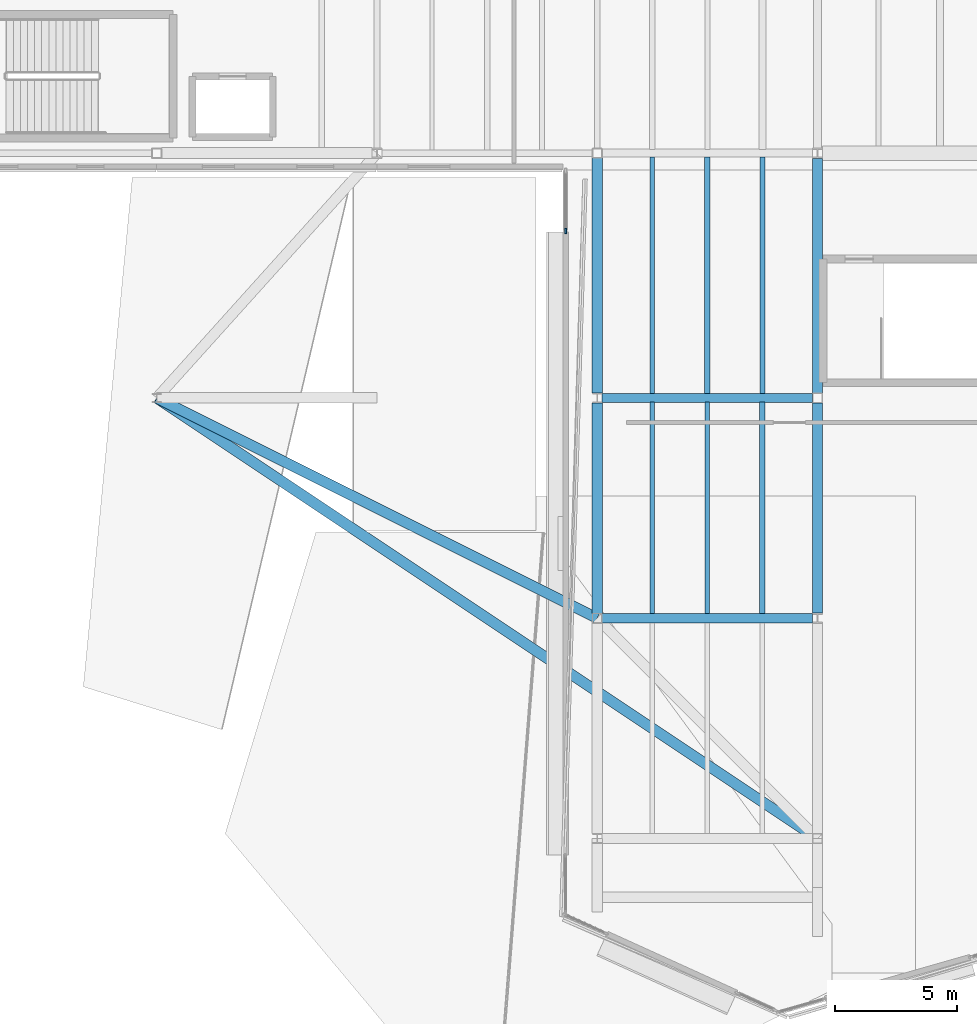
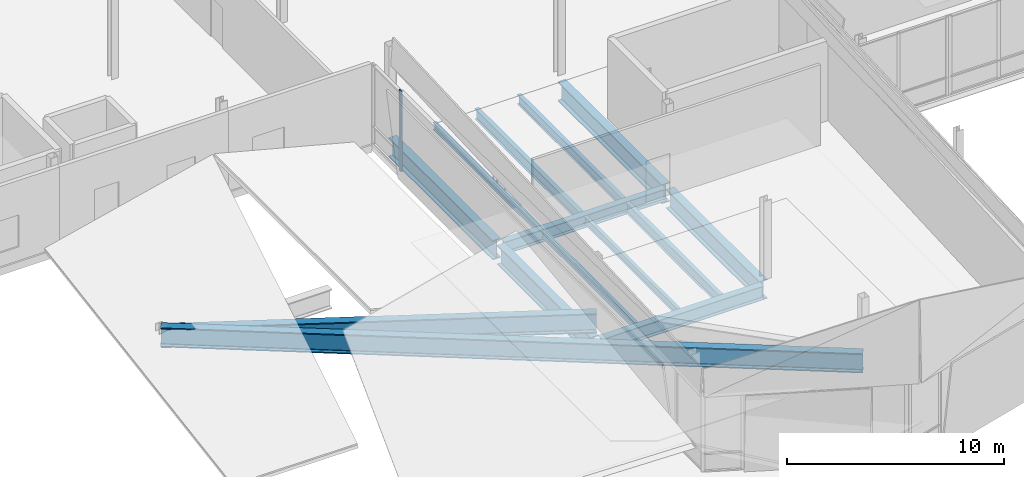
# One storey, part 10 of 41: 14 beams, 1 member, 1 element without a shape of its own.
"""IFC4 building model written with IfcOpenShell, lengths in metres."""

from ifc_helpers import new_model, si_unit, direction, frame, origin, origin_2d, place, context, subcontext, project, spatial, rectangle, i_section, extrude, material, material_profile, profile_set, type_object, element, aggregate, save


model = new_model("IFC4")

# Units and contexts
model_context = context("Model", 3, precision=1e-05, world=origin(), true_north=direction((0.0, 1.0)))
body_context = subcontext(model_context, "Body", "Model", "MODEL_VIEW")
ifc_project = project(units=[si_unit("LENGTHUNIT", "METRE"), si_unit("AREAUNIT", "SQUARE_METRE"), si_unit("VOLUMEUNIT", "CUBIC_METRE"), si_unit("PLANEANGLEUNIT", "RADIAN"), si_unit("MASSUNIT", "GRAM", prefix="KILO")], contexts=[model_context])

# Site, building, storey
site_placement = place(None, origin())
site = spatial("IfcSite", under=ifc_project, at=site_placement, CompositionType="ELEMENT")
building_placement = place(site_placement, origin())
building = spatial("IfcBuilding", under=site, at=building_placement, Name="Trimount Lyric Opera House", CompositionType="ELEMENT")
storey_placement = place(building_placement, frame((0.0, 0.0, 20.0)))
storey = spatial("IfcBuildingStorey", under=building, at=storey_placement, Name="L04", CompositionType="ELEMENT", Elevation=20.0)

# Beams
ifc_material_1 = material(Name="Steel ASTM A992 Grade 50", Category="steel")
ifc_material_profile_1 = material_profile(ifc_material_1, i_section(OverallWidth=0.382080078125, OverallDepth=0.779052734375, WebThickness=0.01806640625, FlangeThickness=0.0302734375, FilletRadius=0.01904296875, at=origin_2d()), Name="W30X191")
ifc_profile_set_1 = profile_set([ifc_material_profile_1], Name="Steel ASTM A992 Grade 50")
beam_type_1 = type_object("IfcBeamType", Name="B-06", PredefinedType="BEAM", material=ifc_profile_set_1)
beam_1_placement = place(storey_placement, frame((45.203125, 35.0, -0.689453125), z_axis=(1.0, 0.0, 0.0), x_axis=(0.0, 1.0, 0.0)))
element("IfcBeam", 1, at=beam_1_placement, inside=storey, type_object=beam_type_1, Name="L04 girder X-1126", PredefinedType="BEAM", context=body_context, shape_type="SweptSolid", body=[
    extrude(i_section(OverallWidth=0.382080078125, OverallDepth=0.779052734375, WebThickness=0.01806640625, FlangeThickness=0.0302734375, FilletRadius=0.01904296875, at=origin_2d()), origin(), (0.0, 0.0, 1.0), 8.593994140625),
])
ifc_material_2 = material(Name="Steel ASTM A992 Grade 50", Category="steel")
ifc_material_profile_2 = material_profile(ifc_material_2, i_section(OverallWidth=0.35595703125, OverallDepth=0.700927734375, WebThickness=0.016845703125, FlangeThickness=0.02734375, FilletRadius=0.01806640625, at=origin_2d()), Name="W27X161")
ifc_profile_set_2 = profile_set([ifc_material_profile_2], Name="Steel ASTM A992 Grade 50")
beam_type_2 = type_object("IfcBeamType", Name="B-08", PredefinedType="BEAM", material=ifc_profile_set_2)
beam_2_placement = place(storey_placement, frame((45.202880859375, 44.0, -0.650390625), z_axis=(1.0, 0.0, 0.0), x_axis=(0.0, 1.0, 0.0)))
element("IfcBeam", 2, at=beam_2_placement, inside=storey, type_object=beam_type_2, Name="L04 girder X-1127", PredefinedType="BEAM", context=body_context, shape_type="SweptSolid", body=[
    extrude(i_section(OverallWidth=0.35595703125, OverallDepth=0.700927734375, WebThickness=0.016845703125, FlangeThickness=0.02734375, FilletRadius=0.01806640625, at=origin_2d()), origin(), (0.0, 0.0, 1.0), 8.593994140625),
])
ifc_material_3 = material(Name="Steel ASTM A992 Grade 50", Category="steel")
ifc_material_profile_3 = material_profile(ifc_material_3, i_section(OverallWidth=0.427001953125, OverallDepth=1.092041015625, WebThickness=0.031005859375, FlangeThickness=0.055908203125, FilletRadius=0.02490234375, at=origin_2d()), Name="W40X397")
ifc_profile_set_3 = profile_set([ifc_material_profile_3], Name="Steel ASTM A992 Grade 50")
beam_type_3 = type_object("IfcBeamType", Name="B-17", PredefinedType="BEAM", material=ifc_profile_set_3)
beam_3_placement = place(storey_placement, frame((27.0, 44.0, 0.75390625), z_axis=(0.832050294338, -0.554700196225, 0.0), x_axis=(0.554700196225, 0.832050294338, 0.0)))
element("IfcBeam", 3, at=beam_3_placement, inside=storey, type_object=beam_type_3, Name="CR-RAF-S2-0 crystal roof support girder", PredefinedType="BEAM", context=body_context, shape_type="SweptSolid", body=[
    extrude(i_section(OverallWidth=0.427001953125, OverallDepth=1.092041015625, WebThickness=0.031005859375, FlangeThickness=0.055908203125, FilletRadius=0.02490234375, at=origin_2d()), origin(), (0.0, 0.0, 1.0), 32.449951171875),
])
beam_4_placement = place(storey_placement, frame((27.0, 44.0, 0.7041015625), z_axis=(0.894427191, -0.4472135955, 0.0), x_axis=(0.4472135955, 0.894427191, 0.0)))
element("IfcBeam", 4, at=beam_4_placement, inside=storey, type_object=beam_type_3, Name="CR-RAF-S2-1 crystal roof support girder", PredefinedType="BEAM", context=body_context, shape_type="SweptSolid", body=[
    extrude(i_section(OverallWidth=0.427001953125, OverallDepth=1.092041015625, WebThickness=0.031005859375, FlangeThickness=0.055908203125, FilletRadius=0.02490234375, at=origin_2d()), origin(), (0.0, 0.0, 1.0), 20.12451171875),
])
ifc_material_4 = material(Name="Steel ASTM A992 Grade 50", Category="steel")
ifc_material_profile_4 = material_profile(ifc_material_4, i_section(OverallWidth=0.22802734375, OverallDepth=0.60205078125, WebThickness=0.010498046875, FlangeThickness=0.014892578125, FilletRadius=0.012939453125, at=origin_2d()), Name="W24X68")
ifc_profile_set_4 = profile_set([ifc_material_profile_4], Name="Steel ASTM A992 Grade 50")
beam_type_4 = type_object("IfcBeamType", Name="J-01", PredefinedType="BEAM", material=ifc_profile_set_4)
beam_5_placement = place(storey_placement, frame((51.75, 35.18701171875, -0.60107421875), z_axis=(0.0, 1.0, 0.0), x_axis=(-1.0, 0.0, 0.0)))
element("IfcBeam", 5, at=beam_5_placement, inside=storey, type_object=beam_type_4, Name="L04 composite floor joist 1158", PredefinedType="BEAM", context=body_context, shape_type="SweptSolid", body=[
    extrude(i_section(OverallWidth=0.22802734375, OverallDepth=0.60205078125, WebThickness=0.010498046875, FlangeThickness=0.014892578125, FilletRadius=0.012939453125, at=origin_2d()), origin(), (0.0, 0.0, 1.0), 8.638916015625),
])
beam_6_placement = place(storey_placement, frame((49.5, 44.174072265625, -0.60107421875), z_axis=(0.0, 1.0, 0.0), x_axis=(-1.0, 0.0, 0.0)))
element("IfcBeam", 6, at=beam_6_placement, inside=storey, type_object=beam_type_4, Name="L04 composite floor joist 1160", PredefinedType="BEAM", context=body_context, shape_type="SweptSolid", body=[
    extrude(i_section(OverallWidth=0.22802734375, OverallDepth=0.60205078125, WebThickness=0.010498046875, FlangeThickness=0.014892578125, FilletRadius=0.012939453125, at=origin_2d()), origin(), (0.0, 0.0, 1.0), 9.666015625),
])
ifc_material_5 = material(Name="Steel ASTM A992 Grade 50", Category="steel")
ifc_material_profile_5 = material_profile(ifc_material_5, i_section(OverallWidth=0.2099609375, OverallDepth=0.532958984375, WebThickness=0.01025390625, FlangeThickness=0.015625, FilletRadius=0.012939453125, at=origin_2d()), Name="W21X62")
ifc_profile_set_5 = profile_set([ifc_material_profile_5], Name="Steel ASTM A992 Grade 50")
beam_type_5 = type_object("IfcBeamType", Name="J-02", PredefinedType="BEAM", material=ifc_profile_set_5)
beam_7_placement = place(storey_placement, frame((51.75, 44.174072265625, -0.56640625), z_axis=(0.0, 1.0, 0.0), x_axis=(-1.0, 0.0, 0.0)))
element("IfcBeam", 7, at=beam_7_placement, inside=storey, type_object=beam_type_5, Name="L04 composite floor joist 1161", PredefinedType="BEAM", context=body_context, shape_type="SweptSolid", body=[
    extrude(i_section(OverallWidth=0.2099609375, OverallDepth=0.532958984375, WebThickness=0.01025390625, FlangeThickness=0.015625, FilletRadius=0.012939453125, at=origin_2d()), origin(), (0.0, 0.0, 1.0), 9.666015625),
])
ifc_material_6 = material(Name="Steel ASTM A992 Grade 50", Category="steel")
ifc_material_profile_6 = material_profile(ifc_material_6, i_section(OverallWidth=0.180908203125, OverallDepth=0.4169921875, WebThickness=0.010986328125, FlangeThickness=0.018310546875, FilletRadius=0.010986328125, at=origin_2d()), Name="W16X57")
ifc_profile_set_6 = profile_set([ifc_material_profile_6], Name="Steel ASTM A992 Grade 50")
beam_type_6 = type_object("IfcBeamType", Name="J-05", PredefinedType="BEAM", material=ifc_profile_set_6)
beam_8_placement = place(storey_placement, frame((47.25, 35.18701171875, -0.508544921875), z_axis=(0.0, 1.0, 0.0), x_axis=(-1.0, 0.0, 0.0)))
element("IfcBeam", 8, at=beam_8_placement, inside=storey, type_object=beam_type_6, Name="L04 composite floor joist 1156", PredefinedType="BEAM", context=body_context, shape_type="SweptSolid", body=[
    extrude(i_section(OverallWidth=0.180908203125, OverallDepth=0.4169921875, WebThickness=0.010986328125, FlangeThickness=0.018310546875, FilletRadius=0.010986328125, at=origin_2d()), origin(), (0.0, 0.0, 1.0), 8.638916015625),
])
ifc_material_7 = material(Name="Steel ASTM A992 Grade 50", Category="steel")
ifc_material_profile_7 = material_profile(ifc_material_7, i_section(OverallWidth=0.177978515625, OverallDepth=0.404052734375, WebThickness=0.007568359375, FlangeThickness=0.010986328125, FilletRadius=0.010009765625, at=origin_2d()), Name="W16X36")
ifc_profile_set_7 = profile_set([ifc_material_profile_7], Name="Steel ASTM A992 Grade 50")
beam_type_7 = type_object("IfcBeamType", Name="J-06", PredefinedType="BEAM", material=ifc_profile_set_7)
beam_9_placement = place(storey_placement, frame((49.5, 35.18701171875, -0.501953125), z_axis=(0.0, 1.0, 0.0), x_axis=(-1.0, 0.0, 0.0)))
element("IfcBeam", 9, at=beam_9_placement, inside=storey, type_object=beam_type_7, Name="L04 composite floor joist 1157", PredefinedType="BEAM", context=body_context, shape_type="SweptSolid", body=[
    extrude(i_section(OverallWidth=0.177978515625, OverallDepth=0.404052734375, WebThickness=0.007568359375, FlangeThickness=0.010986328125, FilletRadius=0.010009765625, at=origin_2d()), origin(), (0.0, 0.0, 1.0), 8.638916015625),
])
beam_10_placement = place(storey_placement, frame((47.25, 44.174072265625, -0.501953125), z_axis=(0.0, 1.0, 0.0), x_axis=(-1.0, 0.0, 0.0)))
element("IfcBeam", 10, at=beam_10_placement, inside=storey, type_object=beam_type_7, Name="L04 composite floor joist 1159", PredefinedType="BEAM", context=body_context, shape_type="SweptSolid", body=[
    extrude(i_section(OverallWidth=0.177978515625, OverallDepth=0.404052734375, WebThickness=0.007568359375, FlangeThickness=0.010986328125, FilletRadius=0.010009765625, at=origin_2d()), origin(), (0.0, 0.0, 1.0), 9.666015625),
])

# Curtain wall, member
ifc_material_8 = material(Name="Thermally Broken Aluminium and Low-E Glass", Category="aluminium")
curtain_wall_type = type_object("IfcCurtainWallType", Name="CW-02", PredefinedType="NOTDEFINED", material=ifc_material_8)
curtain_wall_placement = place(storey_placement, origin())
curtain_wall = element("IfcCurtainWall", 11, at=curtain_wall_placement, inside=storey, type_object=curtain_wall_type, Name="L04 crystal fold glazed slit 306", PredefinedType="NOTDEFINED")
ifc_material_9 = material(Name="Anodised Aluminium 6063-T6", Category="aluminium")
ifc_material_profile_8 = material_profile(ifc_material_9, rectangle(XDim=0.070068359375, YDim=0.219970703125, at=origin_2d()), Name="ALU-MULL-70X220")
ifc_profile_set_8 = profile_set([ifc_material_profile_8], Name="Anodised Aluminium 6063-T6")
member_type = type_object("IfcMemberType", Name="ML-01", PredefinedType="MULLION", material=ifc_profile_set_8)
member_placement = place(storey_placement, frame((43.7099609375, 50.824951171875, 0.0), z_axis=(0.0, 0.0, 1.0), x_axis=(-1.0, 0.0, 0.0)))
member = element("IfcMember", 12, at=member_placement, type_object=member_type, Name="CW-02 mullion 1", PredefinedType="MULLION", context=body_context, shape_type="SweptSolid", body=[
    extrude(rectangle(XDim=0.070068359375, YDim=0.219970703125, at=origin_2d()), origin(), (0.0, 0.0, 1.0), 4.5400390625),
])
aggregate(curtain_wall, [member])

# Beams
ifc_material_10 = material(Name="Steel ASTM A992 Grade 50", Category="steel")
ifc_material_profile_9 = material_profile(ifc_material_10, i_section(OverallWidth=0.427001953125, OverallDepth=1.092041015625, WebThickness=0.031005859375, FlangeThickness=0.055908203125, FilletRadius=0.02490234375, at=origin_2d()), Name="W40X397")
ifc_profile_set_9 = profile_set([ifc_material_profile_9], Name="Steel ASTM A992 Grade 50")
beam_type_8 = type_object("IfcBeamType", Name="TG-02", PredefinedType="USERDEFINED", material=ifc_profile_set_9)
beam_11_placement = place(storey_placement, frame((45.0, 35.203125, -0.845947265625), z_axis=(0.0, 1.0, 0.0), x_axis=(-1.0, 0.0, 0.0)))
element("IfcBeam", 13, at=beam_11_placement, inside=storey, type_object=beam_type_8, Name="L04 girder Y-1197", ObjectType="TRANSFER_GIRDER", PredefinedType="USERDEFINED", context=body_context, shape_type="SweptSolid", body=[
    extrude(i_section(OverallWidth=0.427001953125, OverallDepth=1.092041015625, WebThickness=0.031005859375, FlangeThickness=0.055908203125, FilletRadius=0.02490234375, at=origin_2d()), origin(), (0.0, 0.0, 1.0), 8.58837890625),
])
beam_12_placement = place(storey_placement, frame((45.0, 44.20849609375, -0.845947265625), z_axis=(0.0, 1.0, 0.0), x_axis=(-1.0, 0.0, 0.0)))
element("IfcBeam", 14, at=beam_12_placement, inside=storey, type_object=beam_type_8, Name="L04 girder Y-1198", ObjectType="TRANSFER_GIRDER", PredefinedType="USERDEFINED", context=body_context, shape_type="SweptSolid", body=[
    extrude(i_section(OverallWidth=0.427001953125, OverallDepth=1.092041015625, WebThickness=0.031005859375, FlangeThickness=0.055908203125, FilletRadius=0.02490234375, at=origin_2d()), origin(), (0.0, 0.0, 1.0), 9.58837890625),
])
beam_13_placement = place(storey_placement, frame((54.0, 35.20849609375, -0.845947265625), z_axis=(0.0, 1.0, 0.0), x_axis=(-1.0, 0.0, 0.0)))
element("IfcBeam", 15, at=beam_13_placement, inside=storey, type_object=beam_type_8, Name="L04 girder Y-1207", ObjectType="TRANSFER_GIRDER", PredefinedType="USERDEFINED", context=body_context, shape_type="SweptSolid", body=[
    extrude(i_section(OverallWidth=0.427001953125, OverallDepth=1.092041015625, WebThickness=0.031005859375, FlangeThickness=0.055908203125, FilletRadius=0.02490234375, at=origin_2d()), origin(), (0.0, 0.0, 1.0), 8.58837890625),
])
beam_14_placement = place(storey_placement, frame((54.0, 44.203125, -0.845947265625), z_axis=(0.0, 1.0, 0.0), x_axis=(-1.0, 0.0, 0.0)))
element("IfcBeam", 16, at=beam_14_placement, inside=storey, type_object=beam_type_8, Name="L04 girder Y-1208", ObjectType="TRANSFER_GIRDER", PredefinedType="USERDEFINED", context=body_context, shape_type="SweptSolid", body=[
    extrude(i_section(OverallWidth=0.427001953125, OverallDepth=1.092041015625, WebThickness=0.031005859375, FlangeThickness=0.055908203125, FilletRadius=0.02490234375, at=origin_2d()), origin(), (0.0, 0.0, 1.0), 9.58837890625),
])

save(model, "model.ifc")
